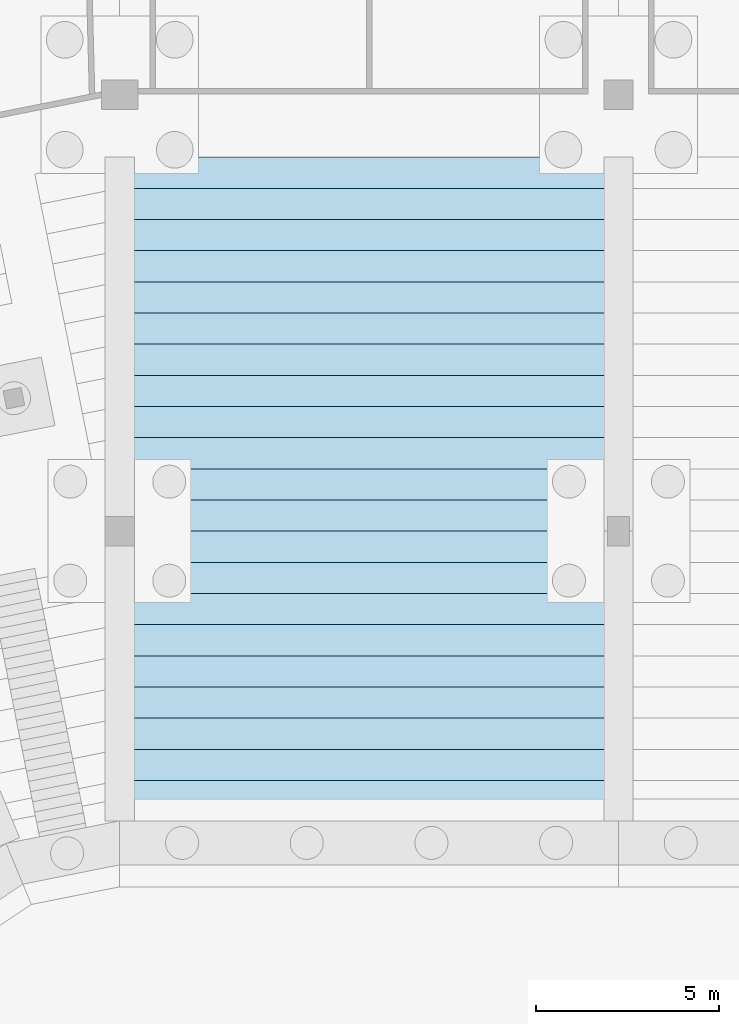
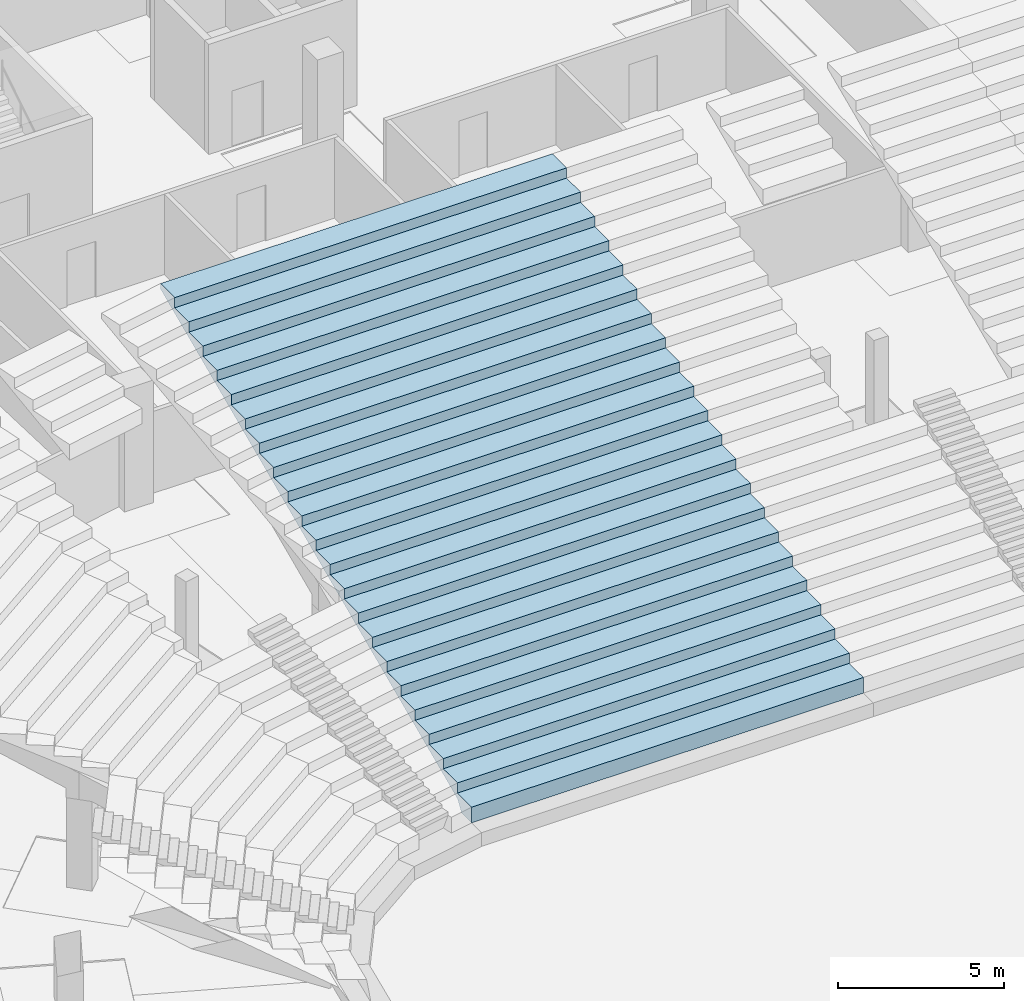
# One storey, part 54 of 115: 1 slab.
"""IFC4 building model written with IfcOpenShell, lengths in metres."""

from ifc_helpers import new_model, si_unit, direction, frame, origin, place, context, subcontext, project, spatial, faceted_brep, material, layer, layer_set, type_object, element, save


model = new_model("IFC4")

# Units and contexts
model_context = context("Model", 3, precision=1e-05, world=origin(), true_north=direction((0.0, 1.0)))
body_context = subcontext(model_context, "Body", "Model", "MODEL_VIEW")
ifc_project = project(units=[si_unit("LENGTHUNIT", "METRE"), si_unit("AREAUNIT", "SQUARE_METRE"), si_unit("VOLUMEUNIT", "CUBIC_METRE"), si_unit("PLANEANGLEUNIT", "RADIAN"), si_unit("MASSUNIT", "GRAM", prefix="KILO")], contexts=[model_context])

# Site, building, storey
site_placement = place(None, origin())
site = spatial("IfcSite", under=ifc_project, at=site_placement, CompositionType="ELEMENT")
building_placement = place(site_placement, origin())
building = spatial("IfcBuilding", under=site, at=building_placement, Name="Ogive Plaza Stadium", CompositionType="ELEMENT")
storey_placement = place(building_placement, frame((0.0, 0.0, -4.5)))
storey = spatial("IfcBuildingStorey", under=building, at=storey_placement, Name="B1", CompositionType="ELEMENT", Elevation=-4.5)

# Slab
ifc_material = material(Name="Concrete C45/55 precast", Category="concrete")
ifc_layer = layer(ifc_material, 0.574951171875)
ifc_layer_set = layer_set([ifc_layer], Name="Concrete C45/55 precast")
slab_type = type_object("IfcSlabType", Name="Seating tier LT 575", PredefinedType="USERDEFINED", material=ifc_layer_set)
slab_placement = place(storey_placement, origin())
element("IfcSlab", 1, at=slab_placement, inside=storey, type_object=slab_type, Name="Stand LT B32", ObjectType="SEATING TIER", PredefinedType="USERDEFINED", context=body_context, shape_type="Brep", body=[
    faceted_brep([(-20.39990234375, 60.0, 1.125), (-20.39990234375, 60.60009765625, 1.125), (-34.0, 60.60009765625, 1.125), (-34.0, 60.0, 1.125), (-20.39990234375, 60.85009765625, 1.125), (-34.0, 60.85009765625, 1.125), (-20.39990234375, 60.60009765625, 0.550048828125), (-34.0, 60.0, 0.550048828125), (-34.0, 60.60009765625, 0.550048828125), (-20.39990234375, 60.0, 0.550048828125), (-34.0, 60.85009765625, 0.925048828125), (-34.0, 60.85009765625, 1.5), (-34.0, 61.699951171875, 1.5), (-34.0, 61.699951171875, 1.300048828125), (-34.0, 61.699951171875, 1.875), (-34.0, 62.550048828125, 1.875), (-34.0, 62.550048828125, 1.675048828125), (-34.0, 62.550048828125, 2.25), (-34.0, 63.39990234375, 2.25), (-34.0, 63.39990234375, 2.050048828125), (-34.0, 63.39990234375, 2.625), (-34.0, 64.25, 2.625), (-34.0, 64.25, 2.425048828125), (-34.0, 64.25, 3.0), (-34.0, 65.10009765625, 3.0), (-34.0, 65.10009765625, 2.800048828125), (-34.0, 65.10009765625, 3.375), (-34.0, 65.949951171875, 3.375), (-34.0, 65.949951171875, 3.175048828125), (-34.0, 65.949951171875, 3.75), (-34.0, 66.800048828125, 3.75), (-34.0, 66.800048828125, 3.550048828125), (-34.0, 66.800048828125, 4.125), (-34.0, 67.64990234375, 4.125), (-34.0, 67.64990234375, 3.925048828125), (-34.0, 67.64990234375, 4.5), (-34.0, 68.5, 4.5), (-34.0, 68.5, 4.300048828125), (-34.0, 68.5, 4.875), (-34.0, 69.35009765625, 4.875), (-34.0, 69.35009765625, 4.675048828125), (-34.0, 69.35009765625, 5.25), (-34.0, 70.199951171875, 5.25), (-34.0, 70.199951171875, 5.050048828125), (-34.0, 70.199951171875, 5.625), (-34.0, 71.050048828125, 5.625), (-34.0, 71.050048828125, 5.425048828125), (-34.0, 71.050048828125, 6.0), (-34.0, 71.89990234375, 6.0), (-34.0, 71.89990234375, 5.800048828125), (-34.0, 71.89990234375, 6.375), (-34.0, 72.75, 6.375), (-34.0, 72.75, 6.175048828125), (-34.0, 72.75, 6.75), (-34.0, 73.60009765625, 6.75), (-34.0, 73.60009765625, 6.550048828125), (-34.0, 73.60009765625, 7.125), (-34.0, 74.449951171875, 7.125), (-34.0, 74.449951171875, 6.925048828125), (-34.0, 74.449951171875, 7.5), (-34.0, 75.300048828125, 7.5), (-34.0, 75.300048828125, 7.300048828125), (-34.0, 75.300048828125, 7.875), (-34.0, 76.14990234375, 7.875), (-34.0, 76.14990234375, 7.675048828125), (-34.0, 76.14990234375, 8.25), (-34.0, 77.0, 8.25), (-34.0, 77.0, 8.050048828125), (-34.0, 77.0, 8.625), (-34.0, 77.85009765625, 8.625), (-34.0, 77.85009765625, 8.425048828125), (-34.0, 77.85009765625, 9.0), (-34.0, 78.699951171875, 9.0), (-34.0, 78.699951171875, 8.800048828125), (-20.39990234375, 60.85009765625, 0.925048828125), (-20.39990234375, 61.699951171875, 1.5), (-20.39990234375, 60.85009765625, 1.5), (-20.39990234375, 61.699951171875, 1.300048828125), (-20.39990234375, 62.550048828125, 1.875), (-20.39990234375, 61.699951171875, 1.875), (-20.39990234375, 62.550048828125, 1.675048828125), (-20.39990234375, 63.39990234375, 2.25), (-20.39990234375, 62.550048828125, 2.25), (-20.39990234375, 63.39990234375, 2.050048828125), (-20.39990234375, 64.25, 2.625), (-20.39990234375, 63.39990234375, 2.625), (-20.39990234375, 64.25, 2.425048828125), (-20.39990234375, 65.10009765625, 3.0), (-20.39990234375, 64.25, 3.0), (-20.39990234375, 65.10009765625, 2.800048828125), (-20.39990234375, 65.949951171875, 3.375), (-20.39990234375, 65.10009765625, 3.375), (-20.39990234375, 65.949951171875, 3.175048828125), (-20.39990234375, 66.800048828125, 3.75), (-20.39990234375, 65.949951171875, 3.75), (-20.39990234375, 66.800048828125, 3.550048828125), (-20.39990234375, 67.64990234375, 4.125), (-20.39990234375, 66.800048828125, 4.125), (-20.39990234375, 67.64990234375, 3.925048828125), (-20.39990234375, 68.5, 4.5), (-20.39990234375, 67.64990234375, 4.5), (-20.39990234375, 68.5, 4.300048828125), (-20.39990234375, 69.35009765625, 4.875), (-20.39990234375, 68.5, 4.875), (-20.39990234375, 69.35009765625, 4.675048828125), (-20.39990234375, 70.199951171875, 5.25), (-20.39990234375, 69.35009765625, 5.25), (-20.39990234375, 70.199951171875, 5.050048828125), (-20.39990234375, 71.050048828125, 5.625), (-20.39990234375, 70.199951171875, 5.625), (-20.39990234375, 71.050048828125, 5.425048828125), (-20.39990234375, 71.89990234375, 6.0), (-20.39990234375, 71.050048828125, 6.0), (-20.39990234375, 71.89990234375, 5.800048828125), (-20.39990234375, 72.75, 6.375), (-20.39990234375, 71.89990234375, 6.375), (-20.39990234375, 72.75, 6.175048828125), (-20.39990234375, 73.60009765625, 6.75), (-20.39990234375, 72.75, 6.75), (-20.39990234375, 73.60009765625, 6.550048828125), (-20.39990234375, 74.449951171875, 7.125), (-20.39990234375, 73.60009765625, 7.125), (-20.39990234375, 74.449951171875, 6.925048828125), (-20.39990234375, 75.300048828125, 7.5), (-20.39990234375, 74.449951171875, 7.5), (-20.39990234375, 75.300048828125, 7.300048828125), (-20.39990234375, 76.14990234375, 7.875), (-20.39990234375, 75.300048828125, 7.875), (-20.39990234375, 76.14990234375, 7.675048828125), (-20.39990234375, 77.0, 8.25), (-20.39990234375, 76.14990234375, 8.25), (-20.39990234375, 77.0, 8.050048828125), (-20.39990234375, 77.85009765625, 8.625), (-20.39990234375, 77.0, 8.625), (-20.39990234375, 77.85009765625, 8.425048828125), (-20.39990234375, 78.699951171875, 9.0), (-20.39990234375, 77.85009765625, 9.0), (-20.39990234375, 78.699951171875, 8.800048828125)], [[[0, 1, 2]], [[2, 3, 0]], [[1, 4, 5]], [[5, 2, 1]], [[6, 7, 8]], [[6, 9, 7]], [[2, 8, 7]], [[7, 3, 2]], [[10, 8, 2]], [[10, 2, 5]], [[5, 11, 12]], [[12, 13, 10]], [[10, 5, 12]], [[12, 14, 15]], [[15, 16, 13]], [[13, 12, 15]], [[15, 17, 18]], [[18, 19, 16]], [[16, 15, 18]], [[18, 20, 21]], [[21, 22, 19]], [[19, 18, 21]], [[21, 23, 24]], [[24, 25, 22]], [[22, 21, 24]], [[24, 26, 27]], [[27, 28, 25]], [[25, 24, 27]], [[27, 29, 30]], [[30, 31, 28]], [[28, 27, 30]], [[30, 32, 33]], [[33, 34, 31]], [[31, 30, 33]], [[33, 35, 36]], [[36, 37, 34]], [[34, 33, 36]], [[36, 38, 39]], [[39, 40, 37]], [[37, 36, 39]], [[39, 41, 42]], [[42, 43, 40]], [[40, 39, 42]], [[42, 44, 45]], [[45, 46, 43]], [[43, 42, 45]], [[45, 47, 48]], [[48, 49, 46]], [[46, 45, 48]], [[48, 50, 51]], [[51, 52, 49]], [[49, 48, 51]], [[51, 53, 54]], [[54, 55, 52]], [[52, 51, 54]], [[54, 56, 57]], [[57, 58, 55]], [[55, 54, 57]], [[57, 59, 60]], [[60, 61, 58]], [[58, 57, 60]], [[60, 62, 63]], [[63, 64, 61]], [[61, 60, 63]], [[63, 65, 66]], [[66, 67, 64]], [[64, 63, 66]], [[66, 68, 69]], [[69, 70, 67]], [[67, 66, 69]], [[69, 71, 72]], [[72, 73, 70]], [[70, 69, 72]], [[3, 7, 9]], [[9, 0, 3]], [[0, 9, 6]], [[6, 1, 0]], [[1, 6, 74]], [[74, 4, 1]], [[75, 76, 4]], [[4, 74, 77]], [[77, 75, 4]], [[78, 79, 75]], [[75, 77, 80]], [[80, 78, 75]], [[81, 82, 78]], [[78, 80, 83]], [[83, 81, 78]], [[84, 85, 81]], [[81, 83, 86]], [[86, 84, 81]], [[87, 88, 84]], [[84, 86, 89]], [[89, 87, 84]], [[90, 91, 87]], [[87, 89, 92]], [[92, 90, 87]], [[93, 94, 90]], [[90, 92, 95]], [[95, 93, 90]], [[96, 97, 93]], [[93, 95, 98]], [[98, 96, 93]], [[99, 100, 96]], [[96, 98, 101]], [[101, 99, 96]], [[102, 103, 99]], [[99, 101, 104]], [[104, 102, 99]], [[105, 106, 102]], [[102, 104, 107]], [[107, 105, 102]], [[108, 109, 105]], [[105, 107, 110]], [[110, 108, 105]], [[111, 112, 108]], [[108, 110, 113]], [[113, 111, 108]], [[114, 115, 111]], [[111, 113, 116]], [[116, 114, 111]], [[117, 118, 114]], [[114, 116, 119]], [[119, 117, 114]], [[120, 121, 117]], [[117, 119, 122]], [[122, 120, 117]], [[123, 124, 120]], [[120, 122, 125]], [[125, 123, 120]], [[126, 127, 123]], [[123, 125, 128]], [[128, 126, 123]], [[129, 130, 126]], [[126, 128, 131]], [[131, 129, 126]], [[132, 133, 129]], [[129, 131, 134]], [[134, 132, 129]], [[135, 136, 132]], [[132, 134, 137]], [[137, 135, 132]], [[74, 8, 10]], [[74, 6, 8]], [[4, 76, 11]], [[11, 5, 4]], [[76, 75, 12]], [[12, 11, 76]], [[77, 10, 13]], [[77, 74, 10]], [[80, 13, 16]], [[80, 77, 13]], [[83, 16, 19]], [[83, 80, 16]], [[86, 19, 22]], [[86, 83, 19]], [[89, 22, 25]], [[89, 86, 22]], [[92, 25, 28]], [[92, 89, 25]], [[95, 28, 31]], [[95, 92, 28]], [[98, 31, 34]], [[98, 95, 31]], [[101, 34, 37]], [[101, 98, 34]], [[104, 37, 40]], [[104, 101, 37]], [[107, 40, 43]], [[107, 104, 40]], [[110, 43, 46]], [[110, 107, 43]], [[113, 46, 49]], [[113, 110, 46]], [[116, 49, 52]], [[116, 113, 49]], [[119, 52, 55]], [[119, 116, 52]], [[122, 55, 58]], [[122, 119, 55]], [[125, 58, 61]], [[125, 122, 58]], [[128, 61, 64]], [[128, 125, 61]], [[75, 79, 14]], [[14, 12, 75]], [[79, 78, 15]], [[15, 14, 79]], [[78, 82, 17]], [[17, 15, 78]], [[82, 81, 18]], [[18, 17, 82]], [[81, 85, 20]], [[20, 18, 81]], [[85, 84, 21]], [[21, 20, 85]], [[84, 88, 23]], [[23, 21, 84]], [[88, 87, 24]], [[24, 23, 88]], [[87, 91, 26]], [[26, 24, 87]], [[91, 90, 27]], [[27, 26, 91]], [[90, 94, 29]], [[29, 27, 90]], [[94, 93, 30]], [[30, 29, 94]], [[93, 97, 32]], [[32, 30, 93]], [[97, 96, 33]], [[33, 32, 97]], [[96, 100, 35]], [[35, 33, 96]], [[100, 99, 36]], [[36, 35, 100]], [[99, 103, 38]], [[38, 36, 99]], [[103, 102, 39]], [[39, 38, 103]], [[102, 106, 41]], [[41, 39, 102]], [[106, 105, 42]], [[42, 41, 106]], [[105, 109, 44]], [[44, 42, 105]], [[109, 108, 45]], [[45, 44, 109]], [[108, 112, 47]], [[47, 45, 108]], [[112, 111, 48]], [[48, 47, 112]], [[111, 115, 50]], [[50, 48, 111]], [[115, 114, 51]], [[51, 50, 115]], [[114, 118, 53]], [[53, 51, 114]], [[118, 117, 54]], [[54, 53, 118]], [[117, 121, 56]], [[56, 54, 117]], [[121, 120, 57]], [[57, 56, 121]], [[120, 124, 59]], [[59, 57, 120]], [[124, 123, 60]], [[60, 59, 124]], [[123, 127, 62]], [[62, 60, 123]], [[127, 126, 63]], [[63, 62, 127]], [[126, 130, 65]], [[65, 63, 126]], [[130, 129, 66]], [[66, 65, 130]], [[131, 64, 67]], [[131, 128, 64]], [[134, 67, 70]], [[134, 131, 67]], [[137, 70, 73]], [[137, 134, 70]], [[129, 133, 68]], [[68, 66, 129]], [[133, 132, 69]], [[69, 68, 133]], [[132, 136, 71]], [[71, 69, 132]], [[136, 135, 72]], [[72, 71, 136]], [[135, 137, 73]], [[73, 72, 135]]]),
])

save(model, "model.ifc")
